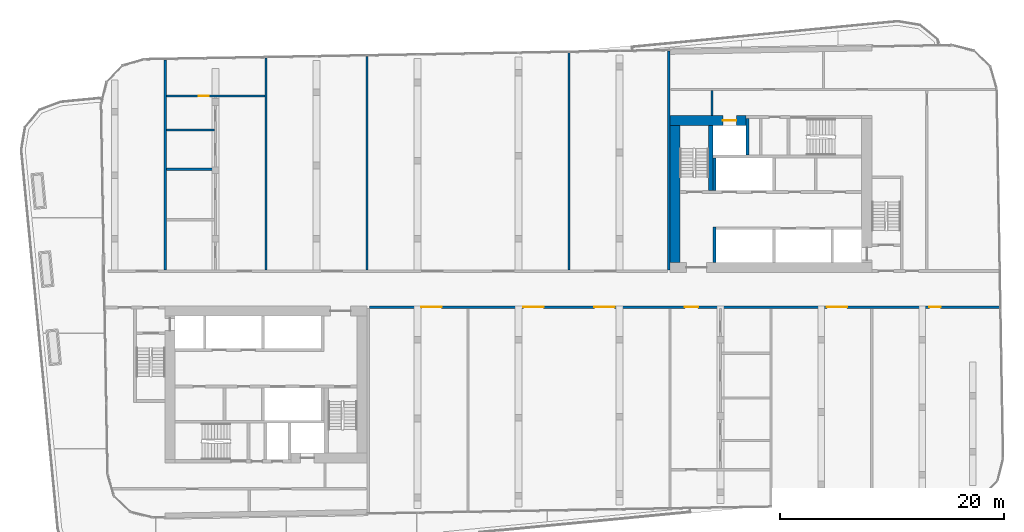
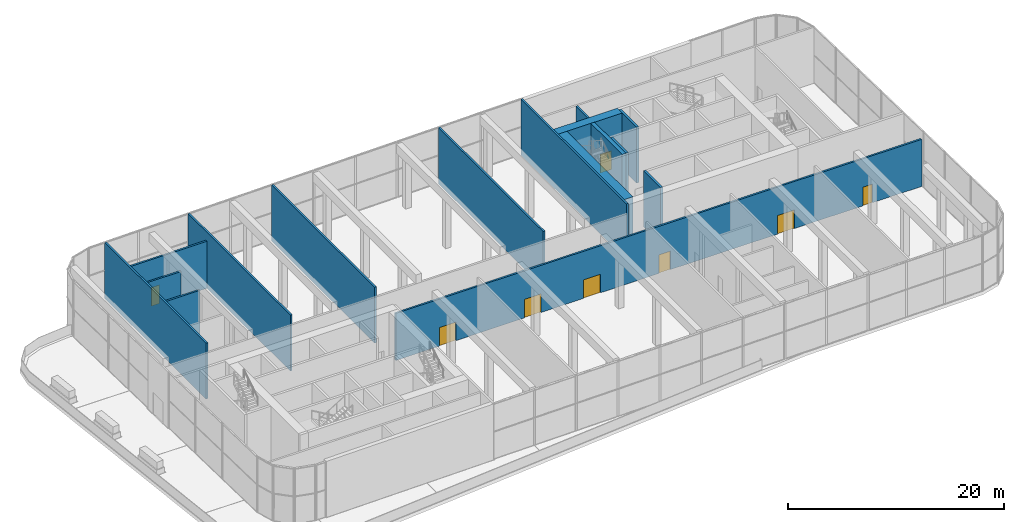
# One storey, part 14 of 24: 16 walls, 8 doors, 8 openings.
"""IFC4 building model written with IfcOpenShell, lengths in metres."""

from ifc_helpers import new_model, si_unit, direction, frame, frame_2d, origin, place, context, subcontext, project, spatial, rectangle, extrude, material, layer, layer_set, type_object, element, fill, save


model = new_model("IFC4")

# Units and contexts
model_context = context("Model", 3, precision=1e-05, world=origin(), true_north=direction((0.0, 1.0)))
body_context = subcontext(model_context, "Body", "Model", "MODEL_VIEW")
ifc_project = project(units=[si_unit("LENGTHUNIT", "METRE"), si_unit("AREAUNIT", "SQUARE_METRE"), si_unit("VOLUMEUNIT", "CUBIC_METRE"), si_unit("PLANEANGLEUNIT", "RADIAN"), si_unit("MASSUNIT", "GRAM", prefix="KILO")], contexts=[model_context])

# Site, building, storey
site_placement = place(None, origin())
site = spatial("IfcSite", under=ifc_project, at=site_placement, CompositionType="ELEMENT")
building_placement = place(site_placement, origin())
building = spatial("IfcBuilding", under=site, at=building_placement, Name="Kajstack Hotel Tower", CompositionType="ELEMENT")
storey_placement = place(building_placement, frame((0.0, 0.0, 211.10009765625)))
storey = spatial("IfcBuildingStorey", under=building, at=storey_placement, Name="L51", CompositionType="ELEMENT", Elevation=211.10009765625)

# Wall, opening, door
ifc_material_1 = material(Name="Concrete C60/75", Category="concrete")
ifc_layer_1 = layer(ifc_material_1, 0.89990234375)
ifc_layer_set_1 = layer_set([ifc_layer_1], Name="Core wall 900")
wall_type_1 = type_object("IfcWallType", Name="Core wall 900", PredefinedType="SHEAR", material=ifc_layer_set_1)
wall_1_placement = place(storey_placement, frame((13.5, 15.050048828125, 0.0), z_axis=(0.0, 0.0, 1.0), x_axis=(1.0, 0.0, 0.0)))
wall_1 = element("IfcWall", 1, at=wall_1_placement, inside=storey, type_object=wall_type_1, Name="Core wall E RS", PredefinedType="SHEAR", context=body_context, shape_type="SweptSolid", body=[
    extrude(rectangle(XDim=6.800048828125, YDim=0.89990234375, at=frame_2d((3.39990234375, 0.0))), origin(), (0.0, 0.0, 1.0), 6.31982421875),
])
opening_1_placement = place(wall_1_placement, frame((4.72509765625, 0.0, 0.0)))
opening_1 = element("IfcOpeningElement", 2, at=opening_1_placement, cuts=wall_1, Name="Opening LD-SV2", PredefinedType="OPENING", context=body_context, shape_type="SweptSolid", body=[
    extrude(rectangle(XDim=1.199951171875, YDim=2.10009765625, at=frame_2d((0.60009765625, 1.050048828125))), frame((0.0, 0.4599609375, 0.0), z_axis=(0.0, -1.0, 0.0), x_axis=(1.0, 0.0, 0.0)), (0.0, 0.0, 1.0), 0.919921875),
])
ifc_material_2 = material(Name="Stainless steel", Category="steel")
door_type_1 = type_object("IfcDoorType", Name="Lift landing door 1200", OperationType="SLIDING_TO_LEFT", PredefinedType="DOOR", material=ifc_material_2)
door_1_placement = place(opening_1_placement, origin())
door_1 = element("IfcDoor", 3, at=door_1_placement, inside=storey, type_object=door_type_1, Name="Landing door SV2", OperationType="SLIDING_TO_LEFT", OverallHeight=2.10009765625, OverallWidth=1.199951171875, PredefinedType="DOOR", context=body_context, shape_type="SweptSolid", body=[
    extrude(rectangle(XDim=1.199951171875, YDim=2.10009765625, at=frame_2d((0.60009765625, 1.050048828125))), frame((0.0, 0.02490234375, 0.0), z_axis=(0.0, -1.0, 0.0), x_axis=(1.0, 0.0, 0.0)), (0.0, 0.0, 1.0), 0.050048828125),
])
fill(opening_1, door_1)

# Walls
wall_2_placement = place(storey_placement, frame((13.949951171875, 2.39990234375, 0.0), z_axis=(0.0, 0.0, 1.0), x_axis=(0.0, 1.0, 0.0)))
element("IfcWall", 4, at=wall_2_placement, inside=storey, type_object=wall_type_1, Name="Core wall E RE", PredefinedType="SHEAR", context=body_context, shape_type="SweptSolid", body=[
    extrude(rectangle(XDim=12.2001953125, YDim=0.89990234375, at=frame_2d((6.10009765625, 0.0))), origin(), (0.0, 0.0, 1.0), 6.31982421875),
])
ifc_material_3 = material(Name="Gypsum board on steel studs, mineral wool", Category="steel")
ifc_layer_2 = layer(ifc_material_3, 0.199951171875)
ifc_layer_set_2 = layer_set([ifc_layer_2], Name="Public partition 200")
wall_type_2 = type_object("IfcWallType", Name="Public partition 200", PredefinedType="PARTITIONING", material=ifc_layer_set_2)
wall_3_placement = place(storey_placement, frame((4.5, 1.699951171875, 0.0), z_axis=(0.0, 0.0, 1.0), x_axis=(0.0, 1.0, 0.0)))
element("IfcWall", 5, at=wall_3_placement, inside=storey, type_object=wall_type_2, Name="Partition PX0", PredefinedType="PARTITIONING", context=body_context, shape_type="SweptSolid", body=[
    extrude(rectangle(XDim=19.37939453125, YDim=0.199951171875, at=frame_2d((9.689697265625, 0.0))), origin(), (0.0, 0.0, 1.0), 6.31982421875),
])
wall_4_placement = place(storey_placement, frame((-13.5, 1.699951171875, 0.0), z_axis=(0.0, 0.0, 1.0), x_axis=(0.0, 1.0, 0.0)))
element("IfcWall", 6, at=wall_4_placement, inside=storey, type_object=wall_type_2, Name="Partition PX1", PredefinedType="PARTITIONING", context=body_context, shape_type="SweptSolid", body=[
    extrude(rectangle(XDim=19.065185546875, YDim=0.199951171875, at=frame_2d((9.53271484375, 0.0))), origin(), (0.0, 0.0, 1.0), 6.31982421875),
])
wall_5_placement = place(storey_placement, frame((-22.5, 1.699951171875, 0.0), z_axis=(0.0, 0.0, 1.0), x_axis=(0.0, 1.0, 0.0)))
element("IfcWall", 7, at=wall_5_placement, inside=storey, type_object=wall_type_2, Name="Partition PX2", PredefinedType="PARTITIONING", context=body_context, shape_type="SweptSolid", body=[
    extrude(rectangle(XDim=18.907958984375, YDim=0.199951171875, at=frame_2d((9.4541015625, 0.0))), origin(), (0.0, 0.0, 1.0), 6.31982421875),
])
for number, where, z_axis, x_axis, name in (
    (8, (-31.39990234375, 10.699951171875, 0.0), (0.0, 0.0, 1.0), (1.0, 0.0, 0.0), "Partition C3wP1"),
    (9, (-31.39990234375, 14.199951171875, 0.0), (0.0, 0.0, 1.0), (1.0, 0.0, 0.0), "Partition C3wP2"),
):
    element("IfcWall", number, at=place(storey_placement, frame(where, z_axis=z_axis, x_axis=x_axis)), inside=storey, type_object=wall_type_2, Name=name, PredefinedType="PARTITIONING", context=body_context, shape_type="SweptSolid", body=[
        extrude(rectangle(XDim=4.2998046875, YDim=0.199951171875, at=frame_2d((2.14990234375, 0.0))), origin(), (0.0, 0.0, 1.0), 5.31982421875),
    ])

# Wall, opening, door
wall_6_placement = place(storey_placement, frame((-31.39990234375, 17.2294921875, 0.0), z_axis=(0.0, 0.0, 1.0), x_axis=(1.0, 0.0, 0.0)))
wall_6 = element("IfcWall", 10, at=wall_6_placement, inside=storey, type_object=wall_type_2, Name="Partition C3BW", PredefinedType="PARTITIONING", context=body_context, shape_type="SweptSolid", body=[
    extrude(rectangle(XDim=8.7998046875, YDim=0.199951171875, at=frame_2d((4.39990234375, 0.0))), origin(), (0.0, 0.0, 1.0), 5.31982421875),
])
opening_2_placement = place(wall_6_placement, frame((2.89990234375, 0.0, 0.0)))
opening_2 = element("IfcOpeningElement", 11, at=opening_2_placement, cuts=wall_6, Name="Opening 51P10", PredefinedType="OPENING", context=body_context, shape_type="SweptSolid", body=[
    extrude(rectangle(XDim=0.89990234375, YDim=2.10009765625, at=frame_2d((0.449951171875, 1.050048828125))), frame((0.0, 0.10986328125, 0.0), z_axis=(0.0, -1.0, 0.0), x_axis=(1.0, 0.0, 0.0)), (0.0, 0.0, 1.0), 0.219970703125),
])
ifc_material_4 = material(Name="Timber leaf", Category="wood")
door_type_2 = type_object("IfcDoorType", Name="Public room door 900", OperationType="SINGLE_SWING_LEFT", PredefinedType="DOOR", material=ifc_material_4)
door_2_placement = place(opening_2_placement, origin())
door_2 = element("IfcDoor", 12, at=door_2_placement, inside=storey, type_object=door_type_2, Name="Door 51P10", OperationType="SINGLE_SWING_LEFT", OverallHeight=2.10009765625, OverallWidth=0.89990234375, PredefinedType="DOOR", context=body_context, shape_type="SweptSolid", body=[
    extrude(rectangle(XDim=0.89990234375, YDim=2.10009765625, at=frame_2d((0.449951171875, 1.050048828125))), frame((0.0, 0.02490234375, 0.0), z_axis=(0.0, -1.0, 0.0), x_axis=(1.0, 0.0, 0.0)), (0.0, 0.0, 1.0), 0.050048828125),
])
fill(opening_2, door_2)

# Walls
wall_7_placement = place(storey_placement, frame((-31.5, 1.699951171875, 0.0), z_axis=(0.0, 0.0, 1.0), x_axis=(0.0, 1.0, 0.0)))
element("IfcWall", 13, at=wall_7_placement, inside=storey, type_object=wall_type_2, Name="Partition PX3", PredefinedType="PARTITIONING", context=body_context, shape_type="SweptSolid", body=[
    extrude(rectangle(XDim=18.7509765625, YDim=0.199951171875, at=frame_2d((9.37548828125, 0.0))), origin(), (0.0, 0.0, 1.0), 6.31982421875),
])
wall_8_placement = place(storey_placement, frame((13.39990234375, 1.699951171875, 0.0), z_axis=(0.0, 0.0, 1.0), x_axis=(0.0, 1.0, 0.0)))
element("IfcWall", 14, at=wall_8_placement, inside=storey, type_object=wall_type_2, Name="Partition EW", PredefinedType="PARTITIONING", context=body_context, shape_type="SweptSolid", body=[
    extrude(rectangle(XDim=19.53466796875, YDim=0.199951171875, at=frame_2d((9.767333984375, 0.0))), origin(), (0.0, 0.0, 1.0), 6.31982421875),
])

# Wall, openings, doors
wall_9_placement = place(storey_placement, frame((-13.300048828125, -1.60009765625, 0.0), z_axis=(0.0, 0.0, 1.0), x_axis=(1.0, 0.0, 0.0)))
wall_9 = element("IfcWall", 15, at=wall_9_placement, inside=storey, type_object=wall_type_2, Name="Partition SFW", PredefinedType="PARTITIONING", context=body_context, shape_type="SweptSolid", body=[
    extrude(rectangle(XDim=56.1962890625, YDim=0.199951171875, at=frame_2d((28.09814453125, 0.0))), origin(), (0.0, 0.0, 1.0), 5.31982421875),
])
opening_3_placement = place(wall_9_placement, frame((4.64990234375, 0.0, 0.0)))
opening_3 = element("IfcOpeningElement", 16, at=opening_3_placement, cuts=wall_9, Name="Opening 51P12", PredefinedType="OPENING", context=body_context, shape_type="SweptSolid", body=[
    extrude(rectangle(XDim=1.800048828125, YDim=2.10009765625, at=frame_2d((0.89990234375, 1.050048828125))), frame((0.0, 0.10986328125, 0.0), z_axis=(0.0, -1.0, 0.0), x_axis=(1.0, 0.0, 0.0)), (0.0, 0.0, 1.0), 0.219970703125),
])
opening_4_placement = place(wall_9_placement, frame((13.739990234375, 0.0, 0.0)))
opening_4 = element("IfcOpeningElement", 17, at=opening_4_placement, cuts=wall_9, Name="Opening 51P13", PredefinedType="OPENING", context=body_context, shape_type="SweptSolid", body=[
    extrude(rectangle(XDim=1.800048828125, YDim=2.10009765625, at=frame_2d((0.89990234375, 1.050048828125))), frame((0.0, 0.10986328125, 0.0), z_axis=(0.0, -1.0, 0.0), x_axis=(1.0, 0.0, 0.0)), (0.0, 0.0, 1.0), 0.219970703125),
])
opening_5_placement = place(wall_9_placement, frame((20.06005859375, 0.0, 0.0)))
opening_5 = element("IfcOpeningElement", 18, at=opening_5_placement, cuts=wall_9, Name="Opening 51P14", PredefinedType="OPENING", context=body_context, shape_type="SweptSolid", body=[
    extrude(rectangle(XDim=1.800048828125, YDim=2.10009765625, at=frame_2d((0.89990234375, 1.050048828125))), frame((0.0, 0.10986328125, 0.0), z_axis=(0.0, -1.0, 0.0), x_axis=(1.0, 0.0, 0.0)), (0.0, 0.0, 1.0), 0.219970703125),
])
opening_6_placement = place(wall_9_placement, frame((28.125, 0.0, 0.0)))
opening_6 = element("IfcOpeningElement", 19, at=opening_6_placement, cuts=wall_9, Name="Opening 51P15", PredefinedType="OPENING", context=body_context, shape_type="SweptSolid", body=[
    extrude(rectangle(XDim=1.199951171875, YDim=2.10009765625, at=frame_2d((0.60009765625, 1.050048828125))), frame((0.0, 0.10986328125, 0.0), z_axis=(0.0, -1.0, 0.0), x_axis=(1.0, 0.0, 0.0)), (0.0, 0.0, 1.0), 0.219970703125),
])
opening_7_placement = place(wall_9_placement, frame((40.800048828125, 0.0, 0.0)))
opening_7 = element("IfcOpeningElement", 20, at=opening_7_placement, cuts=wall_9, Name="Opening 51P21", PredefinedType="OPENING", context=body_context, shape_type="SweptSolid", body=[
    extrude(rectangle(XDim=1.800048828125, YDim=2.10009765625, at=frame_2d((0.89990234375, 1.050048828125))), frame((0.0, 0.10986328125, 0.0), z_axis=(0.0, -1.0, 0.0), x_axis=(1.0, 0.0, 0.0)), (0.0, 0.0, 1.0), 0.219970703125),
])
opening_8_placement = place(wall_9_placement, frame((49.927978515625, 0.0, 0.0)))
opening_8 = element("IfcOpeningElement", 21, at=opening_8_placement, cuts=wall_9, Name="Opening 51P22", PredefinedType="OPENING", context=body_context, shape_type="SweptSolid", body=[
    extrude(rectangle(XDim=1.0, YDim=2.10009765625, at=frame_2d((0.5, 1.050048828125))), frame((0.0, 0.10986328125, 0.0), z_axis=(0.0, -1.0, 0.0), x_axis=(1.0, 0.0, 0.0)), (0.0, 0.0, 1.0), 0.219970703125),
])
ifc_material_5 = material(Name="Timber leaf, fire-rated", Category="wood")
door_type_3 = type_object("IfcDoorType", Name="Public corridor door 1200", OperationType="SINGLE_SWING_LEFT", PredefinedType="DOOR", material=ifc_material_5)
door_3_placement = place(opening_6_placement, origin())
door_3 = element("IfcDoor", 22, at=door_3_placement, inside=storey, type_object=door_type_3, Name="Door 51P15", OperationType="SINGLE_SWING_RIGHT", OverallHeight=2.10009765625, OverallWidth=1.199951171875, PredefinedType="DOOR", context=body_context, shape_type="SweptSolid", body=[
    extrude(rectangle(XDim=1.199951171875, YDim=2.10009765625, at=frame_2d((0.60009765625, 1.050048828125))), frame((0.0, 0.02490234375, 0.0), z_axis=(0.0, -1.0, 0.0), x_axis=(1.0, 0.0, 0.0)), (0.0, 0.0, 1.0), 0.050048828125),
])
fill(opening_6, door_3)
ifc_material_6 = material(Name="Glazed timber frame, fire-rated glass", Category="wood")
door_type_4 = type_object("IfcDoorType", Name="Public double door 1800", OperationType="DOUBLE_DOOR_DOUBLE_SWING", PredefinedType="DOOR", material=ifc_material_6)
door_4_placement = place(opening_3_placement, origin())
door_4 = element("IfcDoor", 23, at=door_4_placement, inside=storey, type_object=door_type_4, Name="Door 51P12", OperationType="DOUBLE_DOOR_DOUBLE_SWING", OverallHeight=2.10009765625, OverallWidth=1.800048828125, PredefinedType="DOOR", context=body_context, shape_type="SweptSolid", body=[
    extrude(rectangle(XDim=1.800048828125, YDim=2.10009765625, at=frame_2d((0.89990234375, 1.050048828125))), frame((0.0, 0.02490234375, 0.0), z_axis=(0.0, -1.0, 0.0), x_axis=(1.0, 0.0, 0.0)), (0.0, 0.0, 1.0), 0.050048828125),
])
fill(opening_3, door_4)
door_5_placement = place(opening_4_placement, origin())
door_5 = element("IfcDoor", 24, at=door_5_placement, inside=storey, type_object=door_type_4, Name="Door 51P13", OperationType="DOUBLE_DOOR_DOUBLE_SWING", OverallHeight=2.10009765625, OverallWidth=1.800048828125, PredefinedType="DOOR", context=body_context, shape_type="SweptSolid", body=[
    extrude(rectangle(XDim=1.800048828125, YDim=2.10009765625, at=frame_2d((0.89990234375, 1.050048828125))), frame((0.0, 0.02490234375, 0.0), z_axis=(0.0, -1.0, 0.0), x_axis=(1.0, 0.0, 0.0)), (0.0, 0.0, 1.0), 0.050048828125),
])
fill(opening_4, door_5)
door_6_placement = place(opening_5_placement, origin())
door_6 = element("IfcDoor", 25, at=door_6_placement, inside=storey, type_object=door_type_4, Name="Door 51P14", OperationType="DOUBLE_DOOR_DOUBLE_SWING", OverallHeight=2.10009765625, OverallWidth=1.800048828125, PredefinedType="DOOR", context=body_context, shape_type="SweptSolid", body=[
    extrude(rectangle(XDim=1.800048828125, YDim=2.10009765625, at=frame_2d((0.89990234375, 1.050048828125))), frame((0.0, 0.02490234375, 0.0), z_axis=(0.0, -1.0, 0.0), x_axis=(1.0, 0.0, 0.0)), (0.0, 0.0, 1.0), 0.050048828125),
])
fill(opening_5, door_6)
door_7_placement = place(opening_7_placement, origin())
door_7 = element("IfcDoor", 26, at=door_7_placement, inside=storey, type_object=door_type_4, Name="Door 51P21", OperationType="DOUBLE_DOOR_DOUBLE_SWING", OverallHeight=2.10009765625, OverallWidth=1.800048828125, PredefinedType="DOOR", context=body_context, shape_type="SweptSolid", body=[
    extrude(rectangle(XDim=1.800048828125, YDim=2.10009765625, at=frame_2d((0.89990234375, 1.050048828125))), frame((0.0, 0.02490234375, 0.0), z_axis=(0.0, -1.0, 0.0), x_axis=(1.0, 0.0, 0.0)), (0.0, 0.0, 1.0), 0.050048828125),
])
fill(opening_7, door_7)
door_type_5 = type_object("IfcDoorType", Name="Public room door 1000", OperationType="SINGLE_SWING_LEFT", PredefinedType="DOOR", material=ifc_material_4)
door_8_placement = place(opening_8_placement, origin())
door_8 = element("IfcDoor", 27, at=door_8_placement, inside=storey, type_object=door_type_5, Name="Door 51P22", OperationType="SINGLE_SWING_RIGHT", OverallHeight=2.10009765625, OverallWidth=1.0, PredefinedType="DOOR", context=body_context, shape_type="SweptSolid", body=[
    extrude(rectangle(XDim=1.0, YDim=2.10009765625, at=frame_2d((0.5, 1.050048828125))), frame((0.0, 0.02490234375, 0.0), z_axis=(0.0, -1.0, 0.0), x_axis=(1.0, 0.0, 0.0)), (0.0, 0.0, 1.0), 0.050048828125),
])
fill(opening_8, door_8)

# Walls
ifc_layer_3 = layer(ifc_material_3, 0.199951171875)
ifc_layer_set_3 = layer_set([ifc_layer_3], Name="Service partition 200")
wall_type_3 = type_object("IfcWallType", Name="Service partition 200", PredefinedType="PARTITIONING", material=ifc_layer_set_3)
wall_10_placement = place(storey_placement, frame((17.25, 15.5, 0.0), z_axis=(0.0, 0.0, 1.0), x_axis=(0.0, 1.0, 0.0)))
element("IfcWall", 28, at=wall_10_placement, inside=storey, type_object=wall_type_3, Name="Partition E SCE", PredefinedType="PARTITIONING", context=body_context, shape_type="SweptSolid", body=[
    extrude(rectangle(XDim=2.199951171875, YDim=0.199951171875, at=frame_2d((1.10009765625, 0.0))), origin(), (0.0, 0.0, 1.0), 6.31982421875),
])
ifc_material_7 = material(Name="Concrete C50/60", Category="concrete")
ifc_layer_4 = layer(ifc_material_7, 0.25)
ifc_layer_set_4 = layer_set([ifc_layer_4], Name="Shaft wall 250")
wall_type_4 = type_object("IfcWallType", Name="Shaft wall 250", PredefinedType="SHEAR", material=ifc_layer_set_4)
wall_11_placement = place(storey_placement, frame((17.47509765625, 2.39990234375, 0.0), z_axis=(0.0, 0.0, 1.0), x_axis=(0.0, 1.0, 0.0)))
element("IfcWall", 29, at=wall_11_placement, inside=storey, type_object=wall_type_4, Name="Core wall E AE", PredefinedType="SHEAR", context=body_context, shape_type="SweptSolid", body=[
    extrude(rectangle(XDim=3.150146484375, YDim=0.25, at=frame_2d((1.5751953125, 0.0))), origin(), (0.0, 0.0, 1.0), 6.31982421875),
])
wall_12_placement = place(storey_placement, frame((17.47509765625, 8.800048828125, 0.0), z_axis=(0.0, 0.0, 1.0), x_axis=(0.0, 1.0, 0.0)))
element("IfcWall", 30, at=wall_12_placement, inside=storey, type_object=wall_type_4, Name="Core wall E BE", PredefinedType="SHEAR", context=body_context, shape_type="SweptSolid", body=[
    extrude(rectangle(XDim=2.89990234375, YDim=0.25, at=frame_2d((1.449951171875, 0.0))), origin(), (0.0, 0.0, 1.0), 6.31982421875),
])
wall_13_placement = place(storey_placement, frame((20.425048828125, 11.949951171875, 0.0), z_axis=(0.0, 0.0, 1.0), x_axis=(0.0, 1.0, 0.0)))
element("IfcWall", 31, at=wall_13_placement, inside=storey, type_object=wall_type_4, Name="Core wall E SVW", PredefinedType="SHEAR", context=body_context, shape_type="SweptSolid", body=[
    extrude(rectangle(XDim=3.25, YDim=0.25, at=frame_2d((1.625, 0.0))), origin(), (0.0, 0.0, 1.0), 6.31982421875),
])
ifc_layer_5 = layer(ifc_material_7, 0.39990234375)
ifc_layer_set_5 = layer_set([ifc_layer_5], Name="Stair wall 400")
wall_type_5 = type_object("IfcWallType", Name="Stair wall 400", PredefinedType="SHEAR", material=ifc_layer_set_5)
wall_14_placement = place(storey_placement, frame((17.14990234375, 8.800048828125, 0.0), z_axis=(0.0, 0.0, 1.0), x_axis=(0.0, 1.0, 0.0)))
element("IfcWall", 32, at=wall_14_placement, inside=storey, type_object=wall_type_5, Name="Core wall E WW2", PredefinedType="SHEAR", context=body_context, shape_type="SweptSolid", body=[
    extrude(rectangle(XDim=5.800048828125, YDim=0.39990234375, at=frame_2d((2.89990234375, 0.0))), origin(), (0.0, 0.0, 1.0), 6.31982421875),
])

save(model, "model.ifc")
